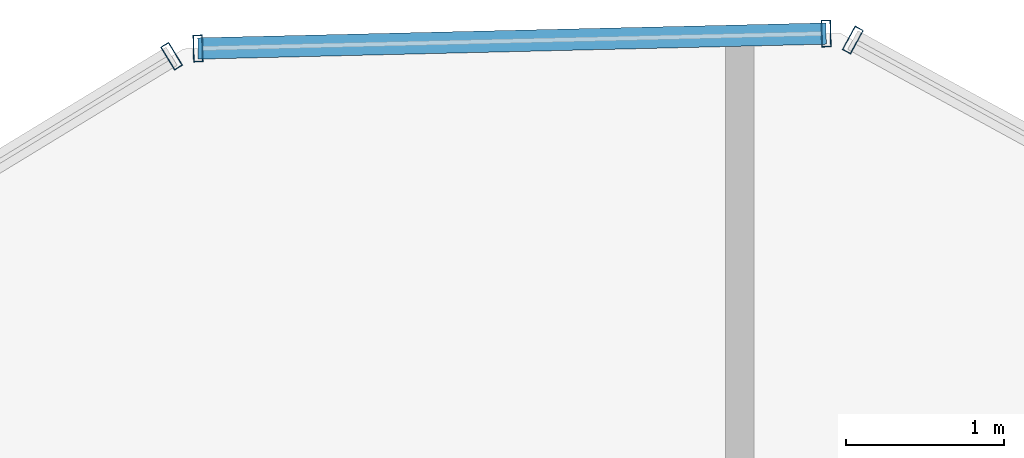
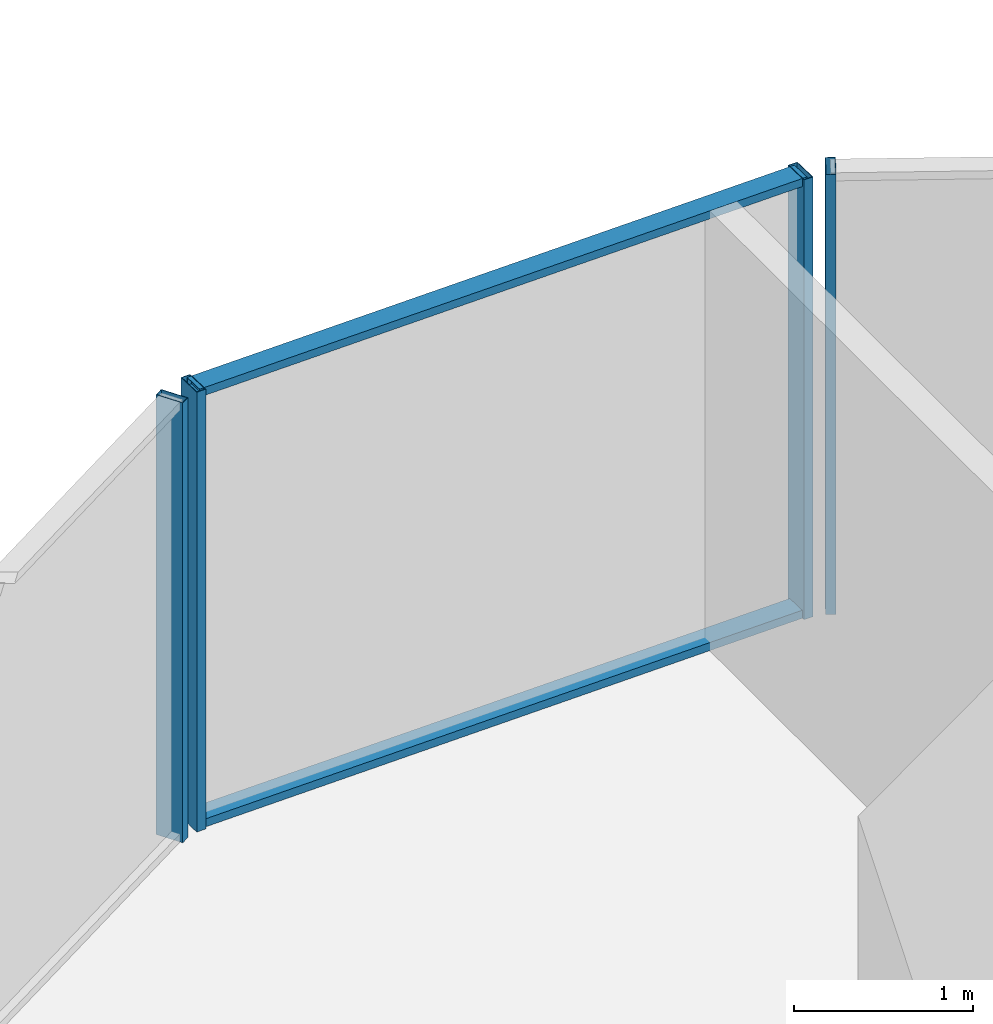
# One storey, part 23 of 31: 6 members, 3 elements without a shape of their own.
"""IFC4 building model written with IfcOpenShell, lengths in metres."""

from ifc_helpers import new_model, si_unit, direction, frame, origin, origin_2d, place, context, subcontext, project, spatial, hollow_rectangle, extrude, source, transform, mapped, material, layer, layer_set, material_profile, profile_set, type_object, element, aggregate, save


model = new_model("IFC4")

# Units and contexts
model_context = context("Model", 3, precision=1e-05, world=origin(), true_north=direction((0.0, 1.0)))
body_context = subcontext(model_context, "Body", "Model", "MODEL_VIEW")
ifc_project = project(units=[si_unit("LENGTHUNIT", "METRE"), si_unit("AREAUNIT", "SQUARE_METRE"), si_unit("VOLUMEUNIT", "CUBIC_METRE"), si_unit("PLANEANGLEUNIT", "RADIAN"), si_unit("MASSUNIT", "GRAM", prefix="KILO")], contexts=[model_context])

# Site, building, storey
site_placement = place(None, origin())
site = spatial("IfcSite", under=ifc_project, at=site_placement, CompositionType="ELEMENT")
building_placement = place(site_placement, origin())
building = spatial("IfcBuilding", under=site, at=building_placement, Name="Veraguas Prism Commons", CompositionType="ELEMENT")
storey_placement = place(building_placement, frame((0.0, 0.0, 132.75)))
storey = spatial("IfcBuildingStorey", under=building, at=storey_placement, Name="L37", CompositionType="ELEMENT", Elevation=132.75)

# Curtain wall, member
ifc_material = material(Name="Anodised aluminium EN AW-6063 T6", Category="aluminium")
ifc_layer = layer(ifc_material, 0.169921875, Name="Unitised Flush Curtain Wall Zone 2", Category="aluminium")
ifc_layer_set = layer_set([ifc_layer], Name="Anodised aluminium EN AW-6063 T6")
curtain_wall_type = type_object("IfcCurtainWallType", Name="Unitised Flush Curtain Wall Zone 2", PredefinedType="NOTDEFINED", material=ifc_layer_set)
curtain_wall_1_placement = place(storey_placement, origin())
curtain_wall_1 = element("IfcCurtainWall", 1, at=curtain_wall_1_placement, inside=storey, type_object=curtain_wall_type, Name="Tower Facade Curtain Wall L37-F1", PredefinedType="NOTDEFINED")
ifc_material_profile_1 = material_profile(ifc_material, hollow_rectangle(XDim=0.06005859375, YDim=0.169921875, WallThickness=0.00390625, at=origin_2d()), Name="AL60X170X4")
ifc_profile_set_1 = profile_set([ifc_material_profile_1], Name="Anodised aluminium EN AW-6063 T6")
member_type_1 = type_object("IfcMemberType", Name="Curtain Wall Mullion Lower AL 60x170x4", PredefinedType="MULLION", material=ifc_profile_set_1)
shared_shape_1 = source(origin(), body_context, "Body", "SweptSolid", [
    extrude(hollow_rectangle(XDim=0.06005859375, YDim=0.169921875, WallThickness=0.00390625, at=origin_2d()), origin(), (0.0, 0.0, 1.0), 3.0),
])
member_1_placement = place(storey_placement, frame((25.65771484375, 44.951416015625, 0.0), z_axis=(0.0, 0.0, 1.0), x_axis=(-0.877648571535, 0.479304688984, 0.0)))
member_1 = element("IfcMember", 2, at=member_1_placement, type_object=member_type_1, Name="CW-Z2 Mullion 5", PredefinedType="MULLION", context=body_context, shape_type="MappedRepresentation", body=[
    mapped(shared_shape_1, transform((0.0, 0.0, 0.0), scale=1.0)),
])
aggregate(curtain_wall_1, [member_1])

curtain_wall_2_placement = place(storey_placement, origin())
curtain_wall_2 = element("IfcCurtainWall", 3, at=curtain_wall_2_placement, inside=storey, type_object=curtain_wall_type, Name="Tower Facade Curtain Wall L37-F2", PredefinedType="NOTDEFINED")
member_2_placement = place(storey_placement, frame((21.35009765625, 44.84912109375, 0.0), z_axis=(0.0, 0.0, 1.0), x_axis=(-0.853916139162, -0.520410633326, 0.0)))
member_2 = element("IfcMember", 4, at=member_2_placement, type_object=member_type_1, Name="CW-Z2 Mullion 1", PredefinedType="MULLION", context=body_context, shape_type="MappedRepresentation", body=[
    mapped(shared_shape_1, transform((0.0, 0.0, 0.0), scale=1.0)),
])
aggregate(curtain_wall_2, [member_2])

# Curtain wall, members
curtain_wall_3_placement = place(storey_placement, origin())
curtain_wall_3 = element("IfcCurtainWall", 5, at=curtain_wall_3_placement, inside=storey, type_object=curtain_wall_type, Name="Chamfer Curtain Wall L37-C2", PredefinedType="NOTDEFINED")
member_3_placement = place(storey_placement, frame((25.48876953125, 44.992431640625, 0.0), z_axis=(0.0, 0.0, 1.0), x_axis=(-0.999717847188, -0.023753442163, 0.0)))
member_3 = element("IfcMember", 6, at=member_3_placement, type_object=member_type_1, Name="CW-Z2 Mullion 1", PredefinedType="MULLION", context=body_context, shape_type="MappedRepresentation", body=[
    mapped(shared_shape_1, transform((0.0, 0.0, 0.0), scale=1.0)),
])
member_4_placement = place(storey_placement, frame((21.516845703125, 44.89794921875, 0.0), z_axis=(0.0, 0.0, 1.0), x_axis=(-0.999717847188, -0.023753442163, 0.0)))
member_4 = element("IfcMember", 7, at=member_4_placement, type_object=member_type_1, Name="CW-Z2 Mullion 2", PredefinedType="MULLION", context=body_context, shape_type="MappedRepresentation", body=[
    mapped(shared_shape_1, transform((0.0, 0.0, 0.0), scale=1.0)),
])
ifc_material_profile_2 = material_profile(ifc_material, hollow_rectangle(XDim=0.054931640625, YDim=0.135009765625, WallThickness=0.0029296875, at=origin_2d()), Name="AL55X135X3")
ifc_profile_set_2 = profile_set([ifc_material_profile_2], Name="Anodised aluminium EN AW-6063 T6")
member_type_2 = type_object("IfcMemberType", Name="Curtain Wall Transom Standard AL 55x135x3", PredefinedType="USERDEFINED", material=ifc_profile_set_2)
shared_shape_2 = source(origin(), body_context, "Body", "SweptSolid", [
    extrude(hollow_rectangle(XDim=0.054931640625, YDim=0.135009765625, WallThickness=0.0029296875, at=origin_2d()), origin(), (0.0, 0.0, 1.0), 3.97314453125),
])
member_5_placement = place(storey_placement, frame((25.48876953125, 44.992431640625, 0.027587890625), z_axis=(-0.999717195735, -0.023780844228, 0.0), x_axis=(0.0, 0.0, 1.0)))
member_5 = element("IfcMember", 8, at=member_5_placement, type_object=member_type_2, Name="CW-Z2 Transom 1", ObjectType="TRANSOM", PredefinedType="USERDEFINED", context=body_context, shape_type="MappedRepresentation", body=[
    mapped(shared_shape_2, transform((0.0, 0.0, 0.0), scale=1.0)),
])
member_6_placement = place(storey_placement, frame((25.48876953125, 44.992431640625, 2.972412109375), z_axis=(-0.999717195735, -0.023780844228, 0.0), x_axis=(0.0, 0.0, 1.0)))
member_6 = element("IfcMember", 9, at=member_6_placement, type_object=member_type_2, Name="CW-Z2 Transom 2", ObjectType="TRANSOM", PredefinedType="USERDEFINED", context=body_context, shape_type="MappedRepresentation", body=[
    mapped(shared_shape_2, transform((0.0, 0.0, 0.0), scale=1.0)),
])
aggregate(curtain_wall_3, [member_3, member_4, member_5, member_6])

save(model, "model.ifc")
